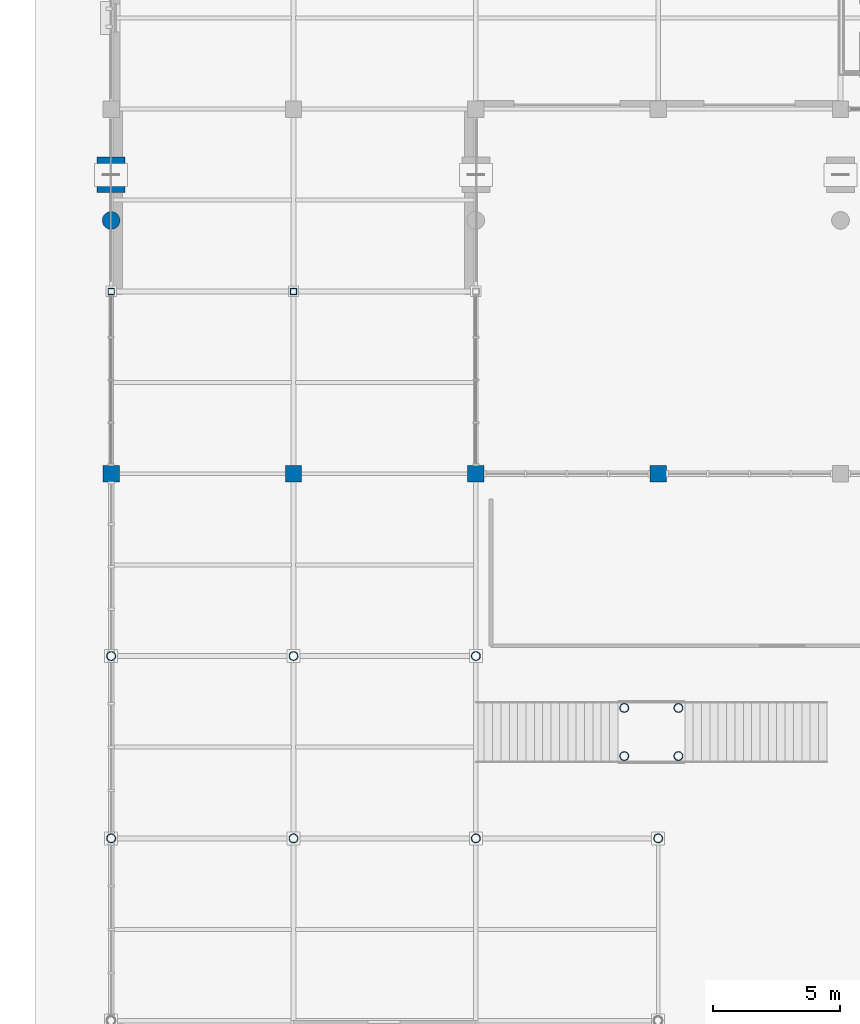
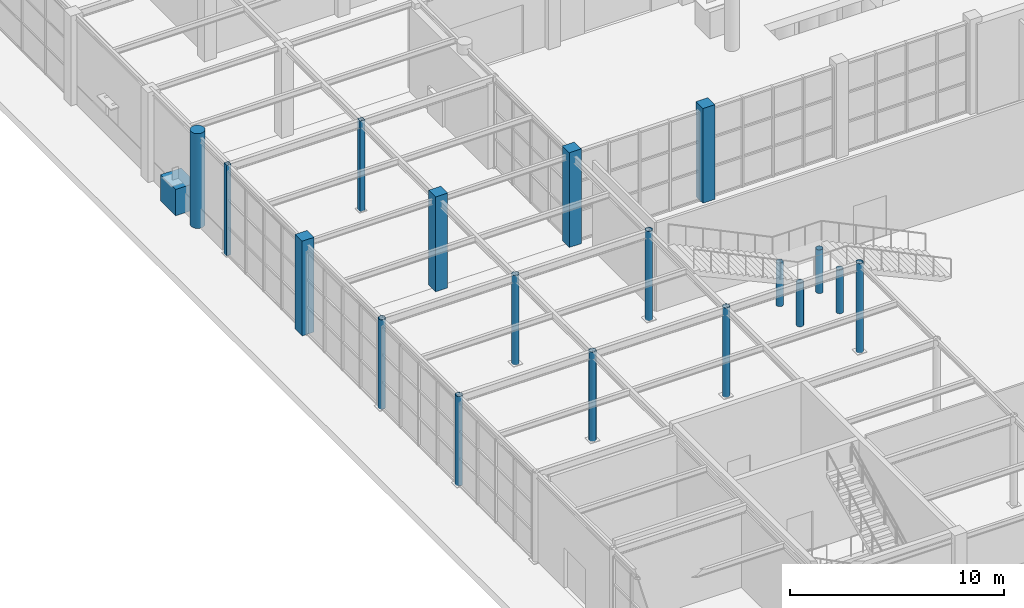
# One storey, part 7 of 75: 19 columns.
"""IFC4 building model written with IfcOpenShell, lengths in metres."""

from ifc_helpers import new_model, si_unit, direction, frame, origin, origin_2d, place, context, subcontext, project, spatial, rectangle, hollow_rectangle, circle, hollow_circle, extrude, material, material_profile, profile_set, type_object, element, save


model = new_model("IFC4")

# Units and contexts
model_context = context("Model", 3, precision=1e-05, world=origin(), true_north=direction((0.0, 1.0)))
body_context = subcontext(model_context, "Body", "Model", "MODEL_VIEW")
ifc_project = project(units=[si_unit("LENGTHUNIT", "METRE"), si_unit("AREAUNIT", "SQUARE_METRE"), si_unit("VOLUMEUNIT", "CUBIC_METRE"), si_unit("PLANEANGLEUNIT", "RADIAN"), si_unit("MASSUNIT", "GRAM", prefix="KILO")], contexts=[model_context])

# Site, building, storey
site_placement = place(None, origin())
site = spatial("IfcSite", under=ifc_project, at=site_placement, CompositionType="ELEMENT")
building_placement = place(site_placement, origin())
building = spatial("IfcBuilding", under=site, at=building_placement, Name="Leyfeld Transit Interchange", CompositionType="ELEMENT")
storey_placement = place(building_placement, origin())
storey = spatial("IfcBuildingStorey", under=building, at=storey_placement, Name="L00", CompositionType="ELEMENT", Elevation=0.0)

# Columns
ifc_material_1 = material(Name="Concrete C40/50", Category="concrete")
ifc_material_profile_1 = material_profile(ifc_material_1, rectangle(XDim=1.10009765625, YDim=1.39990234375, at=origin_2d()), Name="RC 1400x1100")
ifc_profile_set_1 = profile_set([ifc_material_profile_1], Name="Concrete C40/50")
column_type_1 = type_object("IfcColumnType", Name="COL-BUTT-1400", PredefinedType="COLUMN", material=ifc_profile_set_1)
column_1_placement = place(storey_placement, frame((0.0, 62.199951171875, 0.0), z_axis=(0.0, 0.0, 1.0), x_axis=(1.0, 0.0, 0.0)))
element("IfcColumn", 1, at=column_1_placement, inside=storey, type_object=column_type_1, Name="Column COL-L00-0000_0622", PredefinedType="COLUMN", context=body_context, shape_type="SweptSolid", body=[
    extrude(rectangle(XDim=1.10009765625, YDim=1.39990234375, at=origin_2d()), origin(), (0.0, 0.0, 1.0), 1.5),
])
ifc_material_2 = material(Name="Concrete C35/45", Category="concrete")
ifc_material_profile_2 = material_profile(ifc_material_2, rectangle(XDim=0.64990234375, YDim=0.64990234375, at=origin_2d()), Name="RC 650x650")
ifc_profile_set_2 = profile_set([ifc_material_profile_2], Name="Concrete C35/45")
column_type_2 = type_object("IfcColumnType", Name="COL-RC-650", PredefinedType="COLUMN", material=ifc_profile_set_2)
for number, where, z_axis, x_axis, name in (
    (2, (0.0, 50.39990234375, 0.0), (0.0, 0.0, 1.0), (1.0, 0.0, 0.0), "Column COL-L00-0000_0504"),
    (3, (7.199951171875, 50.39990234375, 0.0), (0.0, 0.0, 1.0), (1.0, 0.0, 0.0), "Column COL-L00-0072_0504"),
    (4, (14.39990234375, 50.39990234375, 0.0), (0.0, 0.0, 1.0), (1.0, 0.0, 0.0), "Column COL-L00-0144_0504"),
    (5, (21.60009765625, 50.39990234375, 0.0), (0.0, 0.0, 1.0), (1.0, 0.0, 0.0), "Column COL-L00-0216_0504"),
):
    element("IfcColumn", number, at=place(storey_placement, frame(where, z_axis=z_axis, x_axis=x_axis)), inside=storey, type_object=column_type_2, Name=name, PredefinedType="COLUMN", context=body_context, shape_type="SweptSolid", body=[
        extrude(rectangle(XDim=0.64990234375, YDim=0.64990234375, at=origin_2d()), origin(), (0.0, 0.0, 1.0), 5.39990234375),
    ])
ifc_material_profile_3 = material_profile(ifc_material_2, circle(Radius=0.35009765625, at=origin_2d()), Name="RC D700")
ifc_profile_set_3 = profile_set([ifc_material_profile_3], Name="Concrete C35/45")
column_type_3 = type_object("IfcColumnType", Name="COL-RC-D700", PredefinedType="COLUMN", material=ifc_profile_set_3)
column_2_placement = place(storey_placement, frame((0.0, 60.39990234375, 0.0), z_axis=(0.0, 0.0, 1.0), x_axis=(1.0, 0.0, 0.0)))
element("IfcColumn", 6, at=column_2_placement, inside=storey, type_object=column_type_3, Name="Column COL-L00-0000_0604", PredefinedType="COLUMN", context=body_context, shape_type="SweptSolid", body=[
    extrude(circle(Radius=0.35009765625, at=origin_2d()), origin(), (0.0, 0.0, 1.0), 5.39990234375),
])
ifc_material_3 = material(Name="Steel S355J2", Category="steel")
ifc_material_profile_4 = material_profile(ifc_material_3, hollow_circle(Radius=0.177734375, WallThickness=0.01611328125, at=origin_2d()), Name="CHS 355.6x16")
ifc_profile_set_4 = profile_set([ifc_material_profile_4], Name="Steel S355J2")
column_type_4 = type_object("IfcColumnType", Name="COL-STL-CHS355", PredefinedType="COLUMN", material=ifc_profile_set_4)
for number, where, z_axis, x_axis, name in (
    (7, (0.0, 36.0, 0.0), (0.0, 0.0, 1.0), (1.0, 0.0, 0.0), "Column COL-L00-0000_0360"),
    (8, (0.0, 43.199951171875, 0.0), (0.0, 0.0, 1.0), (1.0, 0.0, 0.0), "Column COL-L00-0000_0432"),
    (9, (7.199951171875, 36.0, 0.0), (0.0, 0.0, 1.0), (1.0, 0.0, 0.0), "Column COL-L00-0072_0360"),
    (10, (7.199951171875, 43.199951171875, 0.0), (0.0, 0.0, 1.0), (1.0, 0.0, 0.0), "Column COL-L00-0072_0432"),
    (11, (14.39990234375, 36.0, 0.0), (0.0, 0.0, 1.0), (1.0, 0.0, 0.0), "Column COL-L00-0144_0360"),
    (12, (14.39990234375, 43.199951171875, 0.0), (0.0, 0.0, 1.0), (1.0, 0.0, 0.0), "Column COL-L00-0144_0432"),
    (13, (21.60009765625, 36.0, 0.0), (0.0, 0.0, 1.0), (1.0, 0.0, 0.0), "Column COL-L00-0216_0360"),
):
    element("IfcColumn", number, at=place(storey_placement, frame(where, z_axis=z_axis, x_axis=x_axis)), inside=storey, type_object=column_type_4, Name=name, PredefinedType="COLUMN", context=body_context, shape_type="SweptSolid", body=[
        extrude(hollow_circle(Radius=0.177734375, WallThickness=0.01611328125, at=origin_2d()), origin(), (0.0, 0.0, 1.0), 5.10009765625),
    ])
for number, where, z_axis, x_axis, name in (
    (14, (20.260009765625, 39.25, 0.0), (0.0, 0.0, 1.0), (1.0, 0.0, 0.0), "Feature Stair ST-10 Landing Column 1"),
    (15, (22.39990234375, 39.25, 0.0), (0.0, 0.0, 1.0), (1.0, 0.0, 0.0), "Feature Stair ST-10 Landing Column 2"),
    (16, (20.260009765625, 41.14990234375, 0.0), (0.0, 0.0, 1.0), (1.0, 0.0, 0.0), "Feature Stair ST-10 Landing Column 3"),
    (17, (22.39990234375, 41.14990234375, 0.0), (0.0, 0.0, 1.0), (1.0, 0.0, 0.0), "Feature Stair ST-10 Landing Column 4"),
):
    element("IfcColumn", number, at=place(storey_placement, frame(where, z_axis=z_axis, x_axis=x_axis)), inside=storey, type_object=column_type_4, Name=name, PredefinedType="COLUMN", context=body_context, shape_type="SweptSolid", body=[
        extrude(hollow_circle(Radius=0.177734375, WallThickness=0.01611328125, at=origin_2d()), origin(), (0.0, 0.0, 1.0), 2.47998046875),
    ])
ifc_material_profile_5 = material_profile(ifc_material_3, hollow_rectangle(XDim=0.25, YDim=0.25, WallThickness=0.012451171875, at=origin_2d()), Name="SHS 250x250x12.5")
ifc_profile_set_5 = profile_set([ifc_material_profile_5], Name="Steel S355J2")
column_type_5 = type_object("IfcColumnType", Name="COL-STL-SHS250", PredefinedType="COLUMN", material=ifc_profile_set_5)
for number, where, z_axis, x_axis, name in (
    (18, (0.0, 57.60009765625, 0.0), (0.0, 0.0, 1.0), (1.0, 0.0, 0.0), "Column COL-L00-0000_0576"),
    (19, (7.199951171875, 57.60009765625, 0.0), (0.0, 0.0, 1.0), (1.0, 0.0, 0.0), "Column COL-L00-0072_0576"),
):
    element("IfcColumn", number, at=place(storey_placement, frame(where, z_axis=z_axis, x_axis=x_axis)), inside=storey, type_object=column_type_5, Name=name, PredefinedType="COLUMN", context=body_context, shape_type="SweptSolid", body=[
        extrude(hollow_rectangle(XDim=0.25, YDim=0.25, WallThickness=0.012451171875, at=origin_2d()), origin(), (0.0, 0.0, 1.0), 5.159912109375),
    ])

save(model, "model.ifc")
